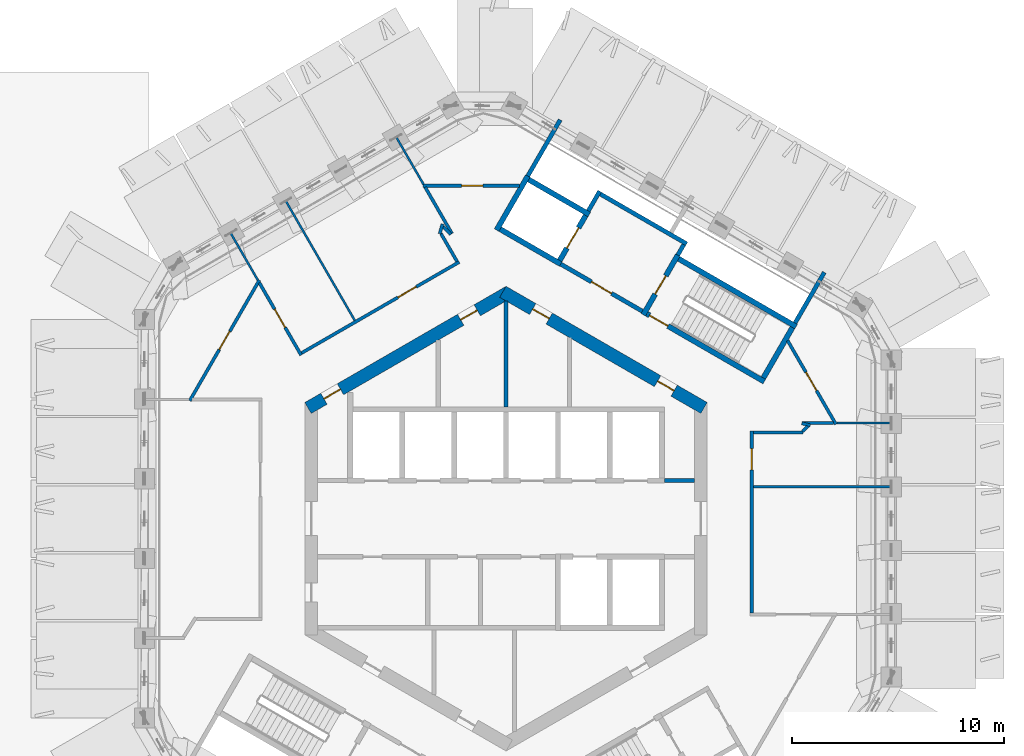
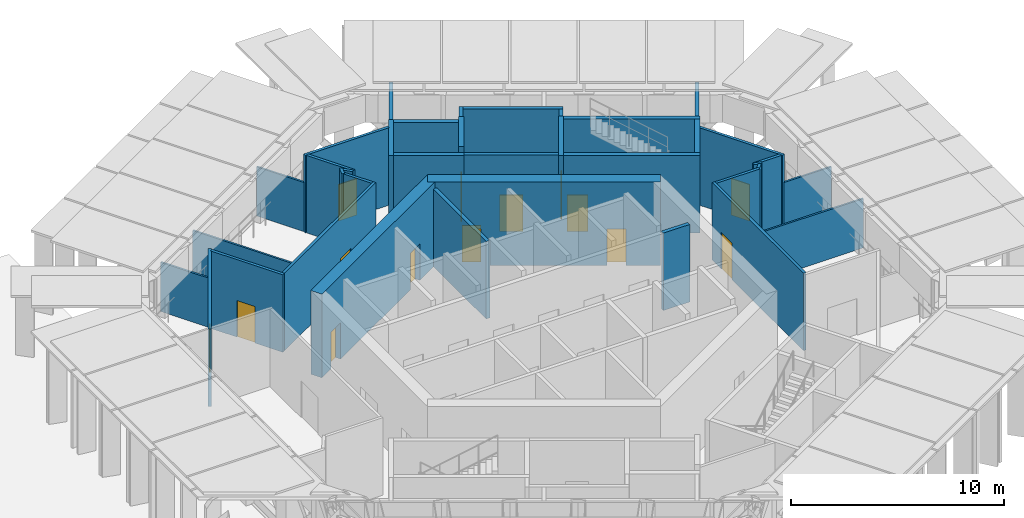
# One storey, part 8 of 15: 37 walls, 14 doors, 14 openings.
"""IFC4 building model written with IfcOpenShell, lengths in metres."""

from ifc_helpers import new_model, si_unit, direction, frame, frame_2d, origin, place, context, subcontext, project, spatial, rectangle, extrude, material, layer, layer_set, type_object, element, fill, save


model = new_model("IFC4")

# Units and contexts
model_context = context("Model", 3, precision=1e-05, world=origin(), true_north=direction((0.0, 1.0)))
body_context = subcontext(model_context, "Body", "Model", "MODEL_VIEW")
ifc_project = project(units=[si_unit("LENGTHUNIT", "METRE"), si_unit("AREAUNIT", "SQUARE_METRE"), si_unit("VOLUMEUNIT", "CUBIC_METRE"), si_unit("PLANEANGLEUNIT", "RADIAN"), si_unit("MASSUNIT", "GRAM", prefix="KILO")], contexts=[model_context])

# Site, building, storey
site_placement = place(None, origin())
site = spatial("IfcSite", under=ifc_project, at=site_placement, CompositionType="ELEMENT")
building_placement = place(site_placement, origin())
building = spatial("IfcBuilding", under=site, at=building_placement, Name="Ayvan Gate Tower", CompositionType="ELEMENT")
storey_placement = place(building_placement, frame((0.0, 0.0, 214.10009765625)))
storey = spatial("IfcBuildingStorey", under=building, at=storey_placement, Name="L57", CompositionType="ELEMENT", Elevation=214.10009765625)

# Wall, openings, doors
ifc_material_1 = material(Name="Concrete C60/75", Category="concrete")
ifc_layer_1 = layer(ifc_material_1, 0.60009765625)
ifc_layer_set_1 = layer_set([ifc_layer_1], Name="Concrete C60/75")
wall_type_1 = type_object("IfcWallType", Name="Core wall 600 C60/75", PredefinedType="SHEAR", material=ifc_layer_set_1)
wall_1_placement = place(storey_placement, frame((9.35009765625, 5.22509765625, 0.0), z_axis=(0.0, 0.0, 1.0), x_axis=(-0.866023993627, 0.500002442456, 0.0)))
wall_1 = element("IfcWall", 1, at=wall_1_placement, inside=storey, type_object=wall_type_1, Name="CORE-L57-1", PredefinedType="SHEAR", context=body_context, shape_type="SweptSolid", body=[
    extrude(rectangle(XDim=10.9697265625, YDim=0.60009765625, at=frame_2d((5.48486328125, 0.0))), origin(), (0.0, 0.0, 1.0), 4.7998046875),
])
opening_1_placement = place(wall_1_placement, frame((8.44189453125, 0.0, 0.0)))
opening_1 = element("IfcOpeningElement", 2, at=opening_1_placement, cuts=wall_1, Name="Opening L57-D34", PredefinedType="OPENING", context=body_context, shape_type="SweptSolid", body=[
    extrude(rectangle(XDim=0.89990234375, YDim=2.10009765625, at=frame_2d((0.449951171875, 1.050048828125))), frame((0.0, 0.31005859375, 0.0), z_axis=(0.0, -1.0, 0.0), x_axis=(1.0, 0.0, 0.0)), (0.0, 0.0, 1.0), 0.6201171875),
])
opening_2_placement = place(wall_1_placement, frame((1.633544921875, 0.0, 0.0)))
opening_2 = element("IfcOpeningElement", 3, at=opening_2_placement, cuts=wall_1, Name="Opening L57-D35", PredefinedType="OPENING", context=body_context, shape_type="SweptSolid", body=[
    extrude(rectangle(XDim=0.89990234375, YDim=2.10009765625, at=frame_2d((0.449951171875, 1.050048828125))), frame((0.0, 0.31005859375, 0.0), z_axis=(0.0, -1.0, 0.0), x_axis=(1.0, 0.0, 0.0)), (0.0, 0.0, 1.0), 0.6201171875),
])
ifc_material_2 = material(Name="Timber door leaf", Category="wood")
door_type_1 = type_object("IfcDoorType", Name="DT-900", OperationType="NOTDEFINED", PredefinedType="DOOR", material=ifc_material_2)
door_1_placement = place(opening_1_placement, origin())
door_1 = element("IfcDoor", 4, at=door_1_placement, inside=storey, type_object=door_type_1, Name="CD-L57-34", OperationType="SINGLE_SWING_LEFT", OverallHeight=2.10009765625, OverallWidth=0.89990234375, PredefinedType="DOOR", context=body_context, shape_type="SweptSolid", body=[
    extrude(rectangle(XDim=0.89990234375, YDim=2.10009765625, at=frame_2d((0.449951171875, 1.050048828125))), frame((0.0, 0.02490234375, 0.0), z_axis=(0.0, -1.0, 0.0), x_axis=(1.0, 0.0, 0.0)), (0.0, 0.0, 1.0), 0.050048828125),
])
fill(opening_1, door_1)
door_2_placement = place(opening_2_placement, origin())
door_2 = element("IfcDoor", 5, at=door_2_placement, inside=storey, type_object=door_type_1, Name="CD-L57-35", OperationType="SINGLE_SWING_RIGHT", OverallHeight=2.10009765625, OverallWidth=0.89990234375, PredefinedType="DOOR", context=body_context, shape_type="SweptSolid", body=[
    extrude(rectangle(XDim=0.89990234375, YDim=2.10009765625, at=frame_2d((0.449951171875, 1.050048828125))), frame((0.0, 0.02490234375, 0.0), z_axis=(0.0, -1.0, 0.0), x_axis=(1.0, 0.0, 0.0)), (0.0, 0.0, 1.0), 0.050048828125),
])
fill(opening_2, door_2)

wall_2_placement = place(storey_placement, frame((0.14990234375, 10.7099609375, 0.0), z_axis=(0.0, 0.0, 1.0), x_axis=(-0.866023993627, -0.500002442456, 0.0)))
wall_2 = element("IfcWall", 6, at=wall_2_placement, inside=storey, type_object=wall_type_1, Name="CORE-L57-2", PredefinedType="SHEAR", context=body_context, shape_type="SweptSolid", body=[
    extrude(rectangle(XDim=10.9697265625, YDim=0.60009765625, at=frame_2d((5.48486328125, 0.0))), origin(), (0.0, 0.0, 1.0), 4.7998046875),
])
opening_3_placement = place(wall_2_placement, frame((9.201416015625, 0.0, 0.0)))
opening_3 = element("IfcOpeningElement", 7, at=opening_3_placement, cuts=wall_2, Name="Opening L57-D32", PredefinedType="OPENING", context=body_context, shape_type="SweptSolid", body=[
    extrude(rectangle(XDim=0.89990234375, YDim=2.10009765625, at=frame_2d((0.449951171875, 1.050048828125))), frame((0.0, 0.31005859375, 0.0), z_axis=(0.0, -1.0, 0.0), x_axis=(1.0, 0.0, 0.0)), (0.0, 0.0, 1.0), 0.6201171875),
])
opening_4_placement = place(wall_2_placement, frame((1.744384765625, 0.0, 0.0)))
opening_4 = element("IfcOpeningElement", 8, at=opening_4_placement, cuts=wall_2, Name="Opening L57-D33", PredefinedType="OPENING", context=body_context, shape_type="SweptSolid", body=[
    extrude(rectangle(XDim=0.89990234375, YDim=2.10009765625, at=frame_2d((0.449951171875, 1.050048828125))), frame((0.0, 0.31005859375, 0.0), z_axis=(0.0, -1.0, 0.0), x_axis=(1.0, 0.0, 0.0)), (0.0, 0.0, 1.0), 0.6201171875),
])
door_3_placement = place(opening_3_placement, origin())
door_3 = element("IfcDoor", 9, at=door_3_placement, inside=storey, type_object=door_type_1, Name="CD-L57-32", OperationType="SINGLE_SWING_LEFT", OverallHeight=2.10009765625, OverallWidth=0.89990234375, PredefinedType="DOOR", context=body_context, shape_type="SweptSolid", body=[
    extrude(rectangle(XDim=0.89990234375, YDim=2.10009765625, at=frame_2d((0.449951171875, 1.050048828125))), frame((0.0, 0.02490234375, 0.0), z_axis=(0.0, -1.0, 0.0), x_axis=(1.0, 0.0, 0.0)), (0.0, 0.0, 1.0), 0.050048828125),
])
fill(opening_3, door_3)
door_4_placement = place(opening_4_placement, origin())
door_4 = element("IfcDoor", 10, at=door_4_placement, inside=storey, type_object=door_type_1, Name="CD-L57-33", OperationType="SINGLE_SWING_RIGHT", OverallHeight=2.10009765625, OverallWidth=0.89990234375, PredefinedType="DOOR", context=body_context, shape_type="SweptSolid", body=[
    extrude(rectangle(XDim=0.89990234375, YDim=2.10009765625, at=frame_2d((0.449951171875, 1.050048828125))), frame((0.0, 0.02490234375, 0.0), z_axis=(0.0, -1.0, 0.0), x_axis=(1.0, 0.0, 0.0)), (0.0, 0.0, 1.0), 0.050048828125),
])
fill(opening_4, door_4)

# Wall, opening, door
ifc_material_3 = material(Name="Plasterboard on steel stud", Category="steel")
ifc_layer_2 = layer(ifc_material_3, 0.14990234375)
ifc_layer_set_2 = layer_set([ifc_layer_2], Name="Plasterboard on steel stud")
wall_type_2 = type_object("IfcWallType", Name="WT-CORR-150", PredefinedType="PARTITIONING", material=ifc_layer_set_2)
wall_3_placement = place(storey_placement, frame((-14.934326171875, 5.567138671875, 0.0), z_axis=(0.0, 0.0, 1.0), x_axis=(0.499975192698, 0.866039725813, 0.0)))
wall_3 = element("IfcWall", 11, at=wall_3_placement, inside=storey, type_object=wall_type_2, Name="IW-L57-004", PredefinedType="PARTITIONING", context=body_context, shape_type="SweptSolid", body=[
    extrude(rectangle(XDim=6.577880859375, YDim=0.14990234375, at=frame_2d((3.2890625, 0.0))), origin(), (0.0, 0.0, 1.0), 4.449951171875),
])
opening_5_placement = place(wall_3_placement, frame((2.7890625, 0.0, 0.0)))
opening_5 = element("IfcOpeningElement", 12, at=opening_5_placement, cuts=wall_3, Name="Opening L57-D28", PredefinedType="OPENING", context=body_context, shape_type="SweptSolid", body=[
    extrude(rectangle(XDim=1.0, YDim=2.10009765625, at=frame_2d((0.5, 1.050048828125))), frame((0.0, 0.0849609375, 0.0), z_axis=(0.0, -1.0, 0.0), x_axis=(1.0, 0.0, 0.0)), (0.0, 0.0, 1.0), 0.169921875),
])
door_type_2 = type_object("IfcDoorType", Name="DT-1000", OperationType="NOTDEFINED", PredefinedType="DOOR", material=ifc_material_2)
door_5_placement = place(opening_5_placement, origin())
door_5 = element("IfcDoor", 13, at=door_5_placement, inside=storey, type_object=door_type_2, Name="ID-L57-028", OperationType="SINGLE_SWING_LEFT", OverallHeight=2.10009765625, OverallWidth=1.0, PredefinedType="DOOR", context=body_context, shape_type="SweptSolid", body=[
    extrude(rectangle(XDim=1.0, YDim=2.10009765625, at=frame_2d((0.5, 1.050048828125))), frame((0.0, 0.02490234375, 0.0), z_axis=(0.0, -1.0, 0.0), x_axis=(1.0, 0.0, 0.0)), (0.0, 0.0, 1.0), 0.050048828125),
])
fill(opening_5, door_5)

wall_4_placement = place(storey_placement, frame((-11.6455078125, 11.1337890625, 0.0), z_axis=(0.0, 0.0, 1.0), x_axis=(0.500044270822, -0.865999842505, 0.0)))
wall_4 = element("IfcWall", 14, at=wall_4_placement, inside=storey, type_object=wall_type_2, Name="IW-L57-009", PredefinedType="PARTITIONING", context=body_context, shape_type="SweptSolid", body=[
    extrude(rectangle(XDim=3.940185546875, YDim=0.14990234375, at=frame_2d((1.97021484375, 0.0))), origin(), (0.0, 0.0, 1.0), 4.449951171875),
])
opening_6_placement = place(wall_4_placement, frame((1.4326171875, 0.0, 0.0)))
opening_6 = element("IfcOpeningElement", 15, at=opening_6_placement, cuts=wall_4, Name="Opening L57-D31", PredefinedType="OPENING", context=body_context, shape_type="SweptSolid", body=[
    extrude(rectangle(XDim=1.0, YDim=2.10009765625, at=frame_2d((0.5, 1.050048828125))), frame((0.0, 0.0849609375, 0.0), z_axis=(0.0, -1.0, 0.0), x_axis=(1.0, 0.0, 0.0)), (0.0, 0.0, 1.0), 0.169921875),
])
door_6_placement = place(opening_6_placement, origin())
door_6 = element("IfcDoor", 16, at=door_6_placement, inside=storey, type_object=door_type_2, Name="ID-L57-031", OperationType="SINGLE_SWING_RIGHT", OverallHeight=2.10009765625, OverallWidth=1.0, PredefinedType="DOOR", context=body_context, shape_type="SweptSolid", body=[
    extrude(rectangle(XDim=1.0, YDim=2.10009765625, at=frame_2d((0.5, 1.050048828125))), frame((0.0, 0.02490234375, 0.0), z_axis=(0.0, -1.0, 0.0), x_axis=(1.0, 0.0, 0.0)), (0.0, 0.0, 1.0), 0.050048828125),
])
fill(opening_6, door_6)

wall_5_placement = place(storey_placement, frame((-9.64794921875, 7.82421875, 0.0), z_axis=(0.0, 0.0, 1.0), x_axis=(0.866024597333, 0.500001396812, 0.0)))
wall_5 = element("IfcWall", 17, at=wall_5_placement, inside=storey, type_object=wall_type_2, Name="IW-L57-012", PredefinedType="PARTITIONING", context=body_context, shape_type="SweptSolid", body=[
    extrude(rectangle(XDim=8.58642578125, YDim=0.14990234375, at=frame_2d((4.293212890625, 0.0))), origin(), (0.0, 0.0, 1.0), 4.449951171875),
])
opening_7_placement = place(wall_5_placement, frame((5.2392578125, 0.0, 0.0)))
opening_7 = element("IfcOpeningElement", 18, at=opening_7_placement, cuts=wall_5, Name="Opening L57-D30", PredefinedType="OPENING", context=body_context, shape_type="SweptSolid", body=[
    extrude(rectangle(XDim=1.0, YDim=2.10009765625, at=frame_2d((0.5, 1.050048828125))), frame((0.0, 0.0849609375, 0.0), z_axis=(0.0, -1.0, 0.0), x_axis=(1.0, 0.0, 0.0)), (0.0, 0.0, 1.0), 0.169921875),
])
door_7_placement = place(opening_7_placement, origin())
door_7 = element("IfcDoor", 19, at=door_7_placement, inside=storey, type_object=door_type_2, Name="ID-L57-030", OperationType="SINGLE_SWING_LEFT", OverallHeight=2.10009765625, OverallWidth=1.0, PredefinedType="DOOR", context=body_context, shape_type="SweptSolid", body=[
    extrude(rectangle(XDim=1.0, YDim=2.10009765625, at=frame_2d((0.5, 1.050048828125))), frame((0.0, 0.02490234375, 0.0), z_axis=(0.0, -1.0, 0.0), x_axis=(1.0, 0.0, 0.0)), (0.0, 0.0, 1.0), 0.050048828125),
])
fill(opening_7, door_7)

wall_6_placement = place(storey_placement, frame((-3.93212890625, 15.717041015625, 0.0), z_axis=(0.0, 0.0, 1.0), x_axis=(1.0, 0.0, 0.0)))
wall_6 = element("IfcWall", 20, at=wall_6_placement, inside=storey, type_object=wall_type_2, Name="IW-L57-027", PredefinedType="PARTITIONING", context=body_context, shape_type="SweptSolid", body=[
    extrude(rectangle(XDim=4.567626953125, YDim=0.14990234375, at=frame_2d((2.28369140625, 0.0))), origin(), (0.0, 0.0, 1.0), 4.449951171875),
])
opening_8_placement = place(wall_6_placement, frame((1.838623046875, 0.0, 0.0)))
opening_8 = element("IfcOpeningElement", 21, at=opening_8_placement, cuts=wall_6, Name="Opening L57-D27", PredefinedType="OPENING", context=body_context, shape_type="SweptSolid", body=[
    extrude(rectangle(XDim=1.0, YDim=2.10009765625, at=frame_2d((0.5, 1.050048828125))), frame((0.0, 0.0849609375, 0.0), z_axis=(0.0, -1.0, 0.0), x_axis=(1.0, 0.0, 0.0)), (0.0, 0.0, 1.0), 0.169921875),
])
door_8_placement = place(opening_8_placement, origin())
door_8 = element("IfcDoor", 22, at=door_8_placement, inside=storey, type_object=door_type_2, Name="ID-L57-027", OperationType="SINGLE_SWING_RIGHT", OverallHeight=2.10009765625, OverallWidth=1.0, PredefinedType="DOOR", context=body_context, shape_type="SweptSolid", body=[
    extrude(rectangle(XDim=1.0, YDim=2.10009765625, at=frame_2d((0.5, 1.050048828125))), frame((0.0, 0.02490234375, 0.0), z_axis=(0.0, -1.0, 0.0), x_axis=(1.0, 0.0, 0.0)), (0.0, 0.0, 1.0), 0.050048828125),
])
fill(opening_8, door_8)

# Walls
wall_7_placement = place(storey_placement, frame((-3.131591796875, 13.452880859375, 0.0), z_axis=(0.0, 0.0, 1.0), x_axis=(0.273373621289, 0.961907928641, 0.0)))
element("IfcWall", 23, at=wall_7_placement, inside=storey, type_object=wall_type_2, Name="IW-L57-033", PredefinedType="PARTITIONING", context=body_context, shape_type="SweptSolid", body=[
    extrude(rectangle(XDim=0.478759765625, YDim=0.14990234375, at=frame_2d((0.2392578125, 0.0))), origin(), (0.0, 0.0, 1.0), 4.449951171875),
])
wall_8_placement = place(storey_placement, frame((-2.96923828125, 13.787109375, 0.0), z_axis=(0.0, 0.0, 1.0), x_axis=(0.694020012532, -0.719955708502, 0.0)))
element("IfcWall", 24, at=wall_8_placement, inside=storey, type_object=wall_type_2, Name="IW-L57-034", PredefinedType="PARTITIONING", context=body_context, shape_type="SweptSolid", body=[
    extrude(rectangle(XDim=0.50830078125, YDim=0.14990234375, at=frame_2d((0.254150390625, 0.0))), origin(), (0.0, 0.0, 1.0), 4.449951171875),
])
wall_9_placement = place(storey_placement, frame((-2.551513671875, 13.455810546875, 0.0), z_axis=(0.0, 0.0, 1.0), x_axis=(-0.500011333847, 0.866018860086, 0.0)))
element("IfcWall", 25, at=wall_9_placement, inside=storey, type_object=wall_type_2, Name="IW-L57-037", PredefinedType="PARTITIONING", context=body_context, shape_type="SweptSolid", body=[
    extrude(rectangle(XDim=2.5361328125, YDim=0.14990234375, at=frame_2d((1.26806640625, 0.0))), origin(), (0.0, 0.0, 1.0), 4.449951171875),
])
wall_10_placement = place(storey_placement, frame((-2.314208984375, 12.14501953125, 0.0), z_axis=(0.0, 0.0, 1.0), x_axis=(-0.499977585228, 0.866038344573, 0.0)))
element("IfcWall", 26, at=wall_10_placement, inside=storey, type_object=wall_type_2, Name="IW-L57-041", PredefinedType="PARTITIONING", context=body_context, shape_type="SweptSolid", body=[
    extrude(rectangle(XDim=1.5185546875, YDim=0.14990234375, at=frame_2d((0.75927734375, 0.0))), origin(), (0.0, 0.0, 1.0), 4.449951171875),
])

# Wall, opening, door
wall_11_placement = place(storey_placement, frame((11.60009765625, -4.443115234375, 0.0), z_axis=(0.0, 0.0, 1.0), x_axis=(0.0, 1.0, 0.0)))
wall_11 = element("IfcWall", 27, at=wall_11_placement, inside=storey, type_object=wall_type_2, Name="IW-L57-085", PredefinedType="PARTITIONING", context=body_context, shape_type="SweptSolid", body=[
    extrude(rectangle(XDim=8.58642578125, YDim=0.14990234375, at=frame_2d((4.293212890625, 0.0))), origin(), (0.0, 0.0, 1.0), 4.449951171875),
])
opening_9_placement = place(wall_11_placement, frame((6.745361328125, 0.0, 0.0)))
opening_9 = element("IfcOpeningElement", 28, at=opening_9_placement, cuts=wall_11, Name="Opening L57-D25", PredefinedType="OPENING", context=body_context, shape_type="SweptSolid", body=[
    extrude(rectangle(XDim=1.0, YDim=2.10009765625, at=frame_2d((0.5, 1.050048828125))), frame((0.0, 0.0849609375, 0.0), z_axis=(0.0, -1.0, 0.0), x_axis=(1.0, 0.0, 0.0)), (0.0, 0.0, 1.0), 0.169921875),
])
door_9_placement = place(opening_9_placement, origin())
door_9 = element("IfcDoor", 29, at=door_9_placement, inside=storey, type_object=door_type_2, Name="ID-L57-025", OperationType="SINGLE_SWING_RIGHT", OverallHeight=2.10009765625, OverallWidth=1.0, PredefinedType="DOOR", context=body_context, shape_type="SweptSolid", body=[
    extrude(rectangle(XDim=1.0, YDim=2.10009765625, at=frame_2d((0.5, 1.050048828125))), frame((0.0, 0.02490234375, 0.0), z_axis=(0.0, -1.0, 0.0), x_axis=(1.0, 0.0, 0.0)), (0.0, 0.0, 1.0), 0.050048828125),
])
fill(opening_9, door_9)

wall_12_placement = place(storey_placement, frame((13.293701171875, 8.408935546875, 0.0), z_axis=(0.0, 0.0, 1.0), x_axis=(0.499990817114, -0.866030705461, 0.0)))
wall_12 = element("IfcWall", 30, at=wall_12_placement, inside=storey, type_object=wall_type_2, Name="IW-L57-087", PredefinedType="PARTITIONING", context=body_context, shape_type="SweptSolid", body=[
    extrude(rectangle(XDim=4.5673828125, YDim=0.14990234375, at=frame_2d((2.28369140625, 0.0))), origin(), (0.0, 0.0, 1.0), 4.449951171875),
])
opening_10_placement = place(wall_12_placement, frame((1.72900390625, 0.0, 0.0)))
opening_10 = element("IfcOpeningElement", 31, at=opening_10_placement, cuts=wall_12, Name="Opening L57-D26", PredefinedType="OPENING", context=body_context, shape_type="SweptSolid", body=[
    extrude(rectangle(XDim=1.0, YDim=2.10009765625, at=frame_2d((0.5, 1.050048828125))), frame((0.0, 0.0849609375, 0.0), z_axis=(0.0, -1.0, 0.0), x_axis=(1.0, 0.0, 0.0)), (0.0, 0.0, 1.0), 0.169921875),
])
door_10_placement = place(opening_10_placement, origin())
door_10 = element("IfcDoor", 32, at=door_10_placement, inside=storey, type_object=door_type_2, Name="ID-L57-026", OperationType="SINGLE_SWING_LEFT", OverallHeight=2.10009765625, OverallWidth=1.0, PredefinedType="DOOR", context=body_context, shape_type="SweptSolid", body=[
    extrude(rectangle(XDim=1.0, YDim=2.10009765625, at=frame_2d((0.5, 1.050048828125))), frame((0.0, 0.02490234375, 0.0), z_axis=(0.0, -1.0, 0.0), x_axis=(1.0, 0.0, 0.0)), (0.0, 0.0, 1.0), 0.050048828125),
])
fill(opening_10, door_10)

# Walls
wall_13_placement = place(storey_placement, frame((14.025634765625, 4.068115234375, 0.0), z_axis=(0.0, 0.0, 1.0), x_axis=(-1.0, 0.0, 0.0)))
element("IfcWall", 33, at=wall_13_placement, inside=storey, type_object=wall_type_2, Name="IW-L57-089", PredefinedType="PARTITIONING", context=body_context, shape_type="SweptSolid", body=[
    extrude(rectangle(XDim=2.3505859375, YDim=0.14990234375, at=frame_2d((1.17529296875, 0.0))), origin(), (0.0, 0.0, 1.0), 4.449951171875),
])
wall_14_placement = place(storey_placement, frame((13.96484375, 4.502685546875, 0.0), z_axis=(0.0, 0.0, 1.0), x_axis=(0.970350209099, -0.241703272011, 0.0)))
element("IfcWall", 34, at=wall_14_placement, inside=storey, type_object=wall_type_2, Name="IW-L57-090", PredefinedType="PARTITIONING", context=body_context, shape_type="SweptSolid", body=[
    extrude(rectangle(XDim=0.4140625, YDim=0.14990234375, at=frame_2d((0.20703125, 0.0))), origin(), (0.0, 0.0, 1.0), 4.449951171875),
])
wall_15_placement = place(storey_placement, frame((14.241455078125, 4.366943359375, 0.0), z_axis=(0.0, 0.0, 1.0), x_axis=(-0.697761385238, -0.7163302655, 0.0)))
element("IfcWall", 35, at=wall_15_placement, inside=storey, type_object=wall_type_2, Name="IW-L57-091", PredefinedType="PARTITIONING", context=body_context, shape_type="SweptSolid", body=[
    extrude(rectangle(XDim=0.341796875, YDim=0.14990234375, at=frame_2d((0.1708984375, 0.0))), origin(), (0.0, 0.0, 1.0), 4.449951171875),
])
wall_16_placement = place(storey_placement, frame((15.465087890625, 4.518310546875, 0.0), z_axis=(0.0, 0.0, 1.0), x_axis=(-1.0, 0.0, 0.0)))
element("IfcWall", 36, at=wall_16_placement, inside=storey, type_object=wall_type_2, Name="IW-L57-094", PredefinedType="PARTITIONING", context=body_context, shape_type="SweptSolid", body=[
    extrude(rectangle(XDim=1.498291015625, YDim=0.14990234375, at=frame_2d((0.7490234375, 0.0))), origin(), (0.0, 0.0, 1.0), 4.449951171875),
])
ifc_layer_3 = layer(ifc_material_3, 0.10009765625)
ifc_layer_set_3 = layer_set([ifc_layer_3], Name="Plasterboard on steel stud")
wall_type_3 = type_object("IfcWallType", Name="WT-PART-100", PredefinedType="PARTITIONING", material=ifc_layer_set_3)
wall_17_placement = place(storey_placement, frame((-13.006103515625, 13.490966796875, 0.0), z_axis=(0.0, 0.0, 1.0), x_axis=(0.499958048256, -0.86604962328, 0.0)))
element("IfcWall", 37, at=wall_17_placement, inside=storey, type_object=wall_type_3, Name="IW-L57-007", PredefinedType="PARTITIONING", context=body_context, shape_type="SweptSolid", body=[
    extrude(rectangle(XDim=2.571533203125, YDim=0.10009765625, at=frame_2d((1.28564453125, 0.0))), origin(), (0.0, 0.0, 1.0), 2.824951171875),
])
wall_18_placement = place(storey_placement, frame((-7.141845703125, 9.35791015625, 0.0), z_axis=(0.0, 0.0, 1.0), x_axis=(-0.500010221068, 0.866019502567, 0.0)))
element("IfcWall", 38, at=wall_18_placement, inside=storey, type_object=wall_type_3, Name="IW-L57-022", PredefinedType="PARTITIONING", context=body_context, shape_type="SweptSolid", body=[
    extrude(rectangle(XDim=6.511474609375, YDim=0.10009765625, at=frame_2d((3.255859375, 0.0))), origin(), (0.0, 0.0, 1.0), 2.824951171875),
])
wall_19_placement = place(storey_placement, frame((-3.89453125, 15.781982421875, 0.0), z_axis=(0.0, 0.0, 1.0), x_axis=(-0.50002925274, 0.866008514048, 0.0)))
element("IfcWall", 39, at=wall_19_placement, inside=storey, type_object=wall_type_3, Name="IW-L57-026", PredefinedType="PARTITIONING", context=body_context, shape_type="SweptSolid", body=[
    extrude(rectangle(XDim=2.571533203125, YDim=0.10009765625, at=frame_2d((1.28564453125, 0.0))), origin(), (0.0, 0.0, 1.0), 2.824951171875),
])
wall_20_placement = place(storey_placement, frame((11.675048828125, 1.506103515625, 0.0), z_axis=(0.0, 0.0, 1.0), x_axis=(1.0, 0.0, 0.0)))
element("IfcWall", 40, at=wall_20_placement, inside=storey, type_object=wall_type_3, Name="IW-L57-084", PredefinedType="PARTITIONING", context=body_context, shape_type="SweptSolid", body=[
    extrude(rectangle(XDim=6.511474609375, YDim=0.10009765625, at=frame_2d((3.255859375, 0.0))), origin(), (0.0, 0.0, 1.0), 2.824951171875),
])
wall_21_placement = place(storey_placement, frame((15.614990234375, 4.518310546875, 0.0), z_axis=(0.0, 0.0, 1.0), x_axis=(1.0, 0.0, 0.0)))
element("IfcWall", 41, at=wall_21_placement, inside=storey, type_object=wall_type_3, Name="IW-L57-093", PredefinedType="PARTITIONING", context=body_context, shape_type="SweptSolid", body=[
    extrude(rectangle(XDim=2.571533203125, YDim=0.10009765625, at=frame_2d((1.28564453125, 0.0))), origin(), (0.0, 0.0, 1.0), 2.824951171875),
])
ifc_layer_4 = layer(ifc_material_3, 0.199951171875)
ifc_layer_set_4 = layer_set([ifc_layer_4], Name="Plasterboard on steel stud")
wall_type_4 = type_object("IfcWallType", Name="WT-PLUMB-200", PredefinedType="PLUMBINGWALL", material=ifc_layer_set_4)
wall_22_placement = place(storey_placement, frame((1.027099609375, 16.178955078125, 0.0), z_axis=(0.0, 0.0, 1.0), x_axis=(0.500042361864, 0.866000944769, 0.0)))
element("IfcWall", 42, at=wall_22_placement, inside=storey, type_object=wall_type_4, Name="IW-L57-050", PredefinedType="PLUMBINGWALL", context=body_context, shape_type="SweptSolid", body=[
    extrude(rectangle(XDim=3.060791015625, YDim=0.199951171875, at=frame_2d((1.5302734375, 0.0))), origin(), (0.0, 0.0, 1.0), 4.449951171875),
])
wall_23_placement = place(storey_placement, frame((3.885009765625, 14.52880859375, 0.0), z_axis=(0.0, 0.0, 1.0), x_axis=(0.499997628298, 0.866026773083, 0.0)))
element("IfcWall", 43, at=wall_23_placement, inside=storey, type_object=wall_type_4, Name="IW-L57-061", PredefinedType="PLUMBINGWALL", context=body_context, shape_type="SweptSolid", body=[
    extrude(rectangle(XDim=1.0751953125, YDim=0.199951171875, at=frame_2d((0.53759765625, 0.0))), origin(), (0.0, 0.0, 1.0), 4.449951171875),
])
wall_24_placement = place(storey_placement, frame((4.458984375, 15.323486328125, 0.0), z_axis=(0.0, 0.0, 1.0), x_axis=(0.866016039709, -0.500016218704, 0.0)))
element("IfcWall", 44, at=wall_24_placement, inside=storey, type_object=wall_type_4, Name="IW-L57-062", PredefinedType="PLUMBINGWALL", context=body_context, shape_type="SweptSolid", body=[
    extrude(rectangle(XDim=4.699951171875, YDim=0.199951171875, at=frame_2d((2.35009765625, 0.0))), origin(), (0.0, 0.0, 1.0), 4.449951171875),
])
wall_25_placement = place(storey_placement, frame((8.392822265625, 12.936767578125, 0.0), z_axis=(0.0, 0.0, 1.0), x_axis=(-0.500065409566, -0.86598763626, 0.0)))
element("IfcWall", 45, at=wall_25_placement, inside=storey, type_object=wall_type_4, Name="IW-L57-078", PredefinedType="PLUMBINGWALL", context=body_context, shape_type="SweptSolid", body=[
    extrude(rectangle(XDim=0.5751953125, YDim=0.199951171875, at=frame_2d((0.28759765625, 0.0))), origin(), (0.0, 0.0, 1.0), 4.449951171875),
])
wall_26_placement = place(storey_placement, frame((15.0283203125, 11.629638671875, 0.0), z_axis=(0.0, 0.0, 1.0), x_axis=(-0.500000584575, -0.86602506628, 0.0)))
element("IfcWall", 46, at=wall_26_placement, inside=storey, type_object=wall_type_4, Name="IW-L57-092", PredefinedType="PLUMBINGWALL", context=body_context, shape_type="SweptSolid", body=[
    extrude(rectangle(XDim=2.7607421875, YDim=0.199951171875, at=frame_2d((1.38037109375, 0.0))), origin(), (0.0, 0.0, 1.0), 4.449951171875),
])
ifc_layer_5 = layer(ifc_material_3, 0.199951171875)
ifc_layer_set_5 = layer_set([ifc_layer_5], Name="Plasterboard on steel stud")
wall_type_5 = type_object("IfcWallType", Name="WT-RATED-200", PredefinedType="PARTITIONING", material=ifc_layer_set_5)
wall_27_placement = place(storey_placement, frame((0.0, 10.27685546875, 0.0), z_axis=(0.0, 0.0, 1.0), x_axis=(0.0, -1.0, 0.0)))
element("IfcWall", 47, at=wall_27_placement, inside=storey, type_object=wall_type_5, Name="IW-L57-048", PredefinedType="PARTITIONING", context=body_context, shape_type="SweptSolid", body=[
    extrude(rectangle(XDim=5.001953125, YDim=0.199951171875, at=frame_2d((2.5009765625, 0.0))), origin(), (0.0, 0.0, 1.0), 4.449951171875),
])

# Wall, opening, door
wall_28_placement = place(storey_placement, frame((6.4345703125, 9.794921875, 0.0), z_axis=(0.0, 0.0, 1.0), x_axis=(-0.866012907634, 0.500021643343, 0.0)))
wall_28 = element("IfcWall", 48, at=wall_28_placement, inside=storey, type_object=wall_type_5, Name="IW-L57-067", PredefinedType="PARTITIONING", context=body_context, shape_type="SweptSolid", body=[
    extrude(rectangle(XDim=4.449951171875, YDim=0.199951171875, at=frame_2d((2.22509765625, 0.0))), origin(), (0.0, 0.0, 1.0), 4.449951171875),
])
opening_11_placement = place(wall_28_placement, frame((1.675048828125, 0.0, 0.0)))
opening_11 = element("IfcOpeningElement", 49, at=opening_11_placement, cuts=wall_28, Name="Opening L57-D13", PredefinedType="OPENING", context=body_context, shape_type="SweptSolid", body=[
    extrude(rectangle(XDim=1.10009765625, YDim=2.10009765625, at=frame_2d((0.550048828125, 1.050048828125))), frame((0.0, 0.10986328125, 0.0), z_axis=(0.0, -1.0, 0.0), x_axis=(1.0, 0.0, 0.0)), (0.0, 0.0, 1.0), 0.219970703125),
])
door_type_3 = type_object("IfcDoorType", Name="DT-1100", OperationType="NOTDEFINED", PredefinedType="DOOR", material=ifc_material_2)
door_11_placement = place(opening_11_placement, origin())
door_11 = element("IfcDoor", 50, at=door_11_placement, inside=storey, type_object=door_type_3, Name="ID-L57-013", OperationType="SINGLE_SWING_RIGHT", OverallHeight=2.10009765625, OverallWidth=1.10009765625, PredefinedType="DOOR", context=body_context, shape_type="SweptSolid", body=[
    extrude(rectangle(XDim=1.10009765625, YDim=2.10009765625, at=frame_2d((0.550048828125, 1.050048828125))), frame((0.0, 0.02490234375, 0.0), z_axis=(0.0, -1.0, 0.0), x_axis=(1.0, 0.0, 0.0)), (0.0, 0.0, 1.0), 0.050048828125),
])
fill(opening_11, door_11)

# Walls
wall_29_placement = place(storey_placement, frame((7.474853515625, 1.800048828125, 0.0), z_axis=(0.0, 0.0, 1.0), x_axis=(1.0, 0.0, 0.0)))
element("IfcWall", 51, at=wall_29_placement, inside=storey, type_object=wall_type_5, Name="IW-L57-073", PredefinedType="PARTITIONING", context=body_context, shape_type="SweptSolid", body=[
    extrude(rectangle(XDim=1.425048828125, YDim=0.199951171875, at=frame_2d((0.71240234375, 0.0))), origin(), (0.0, 0.0, 1.0), 4.449951171875),
])
ifc_material_4 = material(Name="Concrete C50/60", Category="concrete")
ifc_layer_6 = layer(ifc_material_4, 0.25)
ifc_layer_set_6 = layer_set([ifc_layer_6], Name="Concrete C50/60")
wall_type_6 = type_object("IfcWallType", Name="WT-RC-250", PredefinedType="SHEAR", material=ifc_layer_set_6)
wall_30_placement = place(storey_placement, frame((-0.447998046875, 13.624267578125, 0.0), z_axis=(0.0, 0.0, 1.0), x_axis=(0.500037662692, 0.866003658127, 0.0)))
element("IfcWall", 52, at=wall_30_placement, inside=storey, type_object=wall_type_6, Name="IW-L57-046", PredefinedType="SHEAR", context=body_context, shape_type="SweptSolid", body=[
    extrude(rectangle(XDim=2.949951171875, YDim=0.25, at=frame_2d((1.47509765625, 0.0))), origin(), (0.0, 0.0, 1.0), 4.449951171875),
])
for number, where, z_axis, x_axis, name in (
    (53, (1.072998046875, 16.00830078125, 0.0), (0.0, 0.0, 1.0), (0.866040211805, -0.499974350878, 0.0), "IW-L57-051"),
    (54, (2.580810546875, 12.02001953125, 0.0), (0.0, 0.0, 1.0), (-0.866040211805, 0.499974350878, 0.0), "IW-L57-055"),
):
    element("IfcWall", number, at=place(storey_placement, frame(where, z_axis=z_axis, x_axis=x_axis)), inside=storey, type_object=wall_type_6, Name=name, PredefinedType="SHEAR", context=body_context, shape_type="SweptSolid", body=[
        extrude(rectangle(XDim=3.300048828125, YDim=0.25, at=frame_2d((1.64990234375, 0.0))), origin(), (0.0, 0.0, 1.0), 4.449951171875),
    ])

# Wall, opening, door
wall_31_placement = place(storey_placement, frame((2.534912109375, 12.19091796875, 0.0), z_axis=(0.0, 0.0, 1.0), x_axis=(0.500061746146, 0.865989751695, 0.0)))
wall_31 = element("IfcWall", 55, at=wall_31_placement, inside=storey, type_object=wall_type_6, Name="IW-L57-056", PredefinedType="SHEAR", context=body_context, shape_type="SweptSolid", body=[
    extrude(rectangle(XDim=2.449951171875, YDim=0.25, at=frame_2d((1.22509765625, 0.0))), origin(), (0.0, 0.0, 1.0), 4.7998046875),
])
opening_12_placement = place(wall_31_placement, frame((0.675048828125, 0.0, 0.0)))
opening_12 = element("IfcOpeningElement", 56, at=opening_12_placement, cuts=wall_31, Name="Opening L57-LD-FF1", PredefinedType="OPENING", context=body_context, shape_type="SweptSolid", body=[
    extrude(rectangle(XDim=1.10009765625, YDim=2.10009765625, at=frame_2d((0.550048828125, 1.050048828125))), frame((0.0, 0.135009765625, 0.0), z_axis=(0.0, -1.0, 0.0), x_axis=(1.0, 0.0, 0.0)), (0.0, 0.0, 1.0), 0.27001953125),
])
ifc_material_5 = material(Name="Stainless steel landing door", Category="steel")
door_type_4 = type_object("IfcDoorType", Name="DT-LANDING-1100", OperationType="SLIDING_TO_LEFT", PredefinedType="DOOR", material=ifc_material_5)
door_12_placement = place(opening_12_placement, origin())
door_12 = element("IfcDoor", 57, at=door_12_placement, inside=storey, type_object=door_type_4, Name="ID-L57-014", OperationType="SLIDING_TO_LEFT", OverallHeight=2.10009765625, OverallWidth=1.10009765625, PredefinedType="DOOR", context=body_context, shape_type="SweptSolid", body=[
    extrude(rectangle(XDim=1.10009765625, YDim=2.10009765625, at=frame_2d((0.550048828125, 1.050048828125))), frame((0.0, 0.02490234375, 0.0), z_axis=(0.0, -1.0, 0.0), x_axis=(1.0, 0.0, 0.0)), (0.0, 0.0, 1.0), 0.050048828125),
])
fill(opening_12, door_12)

wall_32_placement = place(storey_placement, frame((6.480224609375, 9.624267578125, 0.0), z_axis=(0.0, 0.0, 1.0), x_axis=(0.500017246033, 0.866015446554, 0.0)))
wall_32 = element("IfcWall", 58, at=wall_32_placement, inside=storey, type_object=wall_type_6, Name="IW-L57-068", PredefinedType="SHEAR", context=body_context, shape_type="SweptSolid", body=[
    extrude(rectangle(XDim=3.25, YDim=0.25, at=frame_2d((1.625, 0.0))), origin(), (0.0, 0.0, 1.0), 4.449951171875),
])
opening_13_placement = place(wall_32_placement, frame((1.125, 0.0, 0.0)))
opening_13 = element("IfcOpeningElement", 59, at=opening_13_placement, cuts=wall_32, Name="Opening L57-D12", PredefinedType="OPENING", context=body_context, shape_type="SweptSolid", body=[
    extrude(rectangle(XDim=1.0, YDim=2.10009765625, at=frame_2d((0.5, 1.050048828125))), frame((0.0, 0.135009765625, 0.0), z_axis=(0.0, -1.0, 0.0), x_axis=(1.0, 0.0, 0.0)), (0.0, 0.0, 1.0), 0.27001953125),
])
door_13_placement = place(opening_13_placement, origin())
door_13 = element("IfcDoor", 60, at=door_13_placement, inside=storey, type_object=door_type_2, Name="ID-L57-012", OperationType="SINGLE_SWING_LEFT", OverallHeight=2.10009765625, OverallWidth=1.0, PredefinedType="DOOR", context=body_context, shape_type="SweptSolid", body=[
    extrude(rectangle(XDim=1.0, YDim=2.10009765625, at=frame_2d((0.5, 1.050048828125))), frame((0.0, 0.02490234375, 0.0), z_axis=(0.0, -1.0, 0.0), x_axis=(1.0, 0.0, 0.0)), (0.0, 0.0, 1.0), 0.050048828125),
])
fill(opening_13, door_13)

# Wall
wall_33_placement = place(storey_placement, frame((8.151123046875, 12.26806640625, 0.0), z_axis=(0.0, 0.0, 1.0), x_axis=(0.866025499775, -0.499999833739, 0.0)))
element("IfcWall", 61, at=wall_33_placement, inside=storey, type_object=wall_type_6, Name="IW-L57-077", PredefinedType="SHEAR", context=body_context, shape_type="SweptSolid", body=[
    extrude(rectangle(XDim=6.39990234375, YDim=0.25, at=frame_2d((3.199951171875, 0.0))), origin(), (0.0, 0.0, 1.0), 4.449951171875),
])

# Wall, opening, door
wall_34_placement = place(storey_placement, frame((12.193603515625, 6.469970703125, 0.0), z_axis=(0.0, 0.0, 1.0), x_axis=(-0.866025499775, 0.499999833739, 0.0)))
wall_34 = element("IfcWall", 62, at=wall_34_placement, inside=storey, type_object=wall_type_6, Name="IW-L57-086", PredefinedType="SHEAR", context=body_context, shape_type="SweptSolid", body=[
    extrude(rectangle(XDim=6.39990234375, YDim=0.25, at=frame_2d((3.199951171875, 0.0))), origin(), (0.0, 0.0, 1.0), 4.449951171875),
])
opening_14_placement = place(wall_34_placement, frame((5.25, 0.0, 0.0)))
opening_14 = element("IfcOpeningElement", 63, at=opening_14_placement, cuts=wall_34, Name="Opening L57-D11", PredefinedType="OPENING", context=body_context, shape_type="SweptSolid", body=[
    extrude(rectangle(XDim=1.0, YDim=2.10009765625, at=frame_2d((0.5, 1.050048828125))), frame((0.0, 0.135009765625, 0.0), z_axis=(0.0, -1.0, 0.0), x_axis=(1.0, 0.0, 0.0)), (0.0, 0.0, 1.0), 0.27001953125),
])
door_14_placement = place(opening_14_placement, origin())
door_14 = element("IfcDoor", 64, at=door_14_placement, inside=storey, type_object=door_type_2, Name="ID-L57-011", OperationType="SINGLE_SWING_RIGHT", OverallHeight=2.10009765625, OverallWidth=1.0, PredefinedType="DOOR", context=body_context, shape_type="SweptSolid", body=[
    extrude(rectangle(XDim=1.0, YDim=2.10009765625, at=frame_2d((0.5, 1.050048828125))), frame((0.0, 0.02490234375, 0.0), z_axis=(0.0, -1.0, 0.0), x_axis=(1.0, 0.0, 0.0)), (0.0, 0.0, 1.0), 0.050048828125),
])
fill(opening_14, door_14)

# Wall
wall_35_placement = place(storey_placement, frame((12.14794921875, 6.640869140625, 0.0), z_axis=(0.0, 0.0, 1.0), x_axis=(0.500034990121, 0.866005201286, 0.0)))
element("IfcWall", 65, at=wall_35_placement, inside=storey, type_object=wall_type_6, Name="IW-L57-088", PredefinedType="SHEAR", context=body_context, shape_type="SweptSolid", body=[
    extrude(rectangle(XDim=2.749755859375, YDim=0.25, at=frame_2d((1.375, 0.0))), origin(), (0.0, 0.0, 1.0), 4.449951171875),
])

save(model, "model.ifc")
